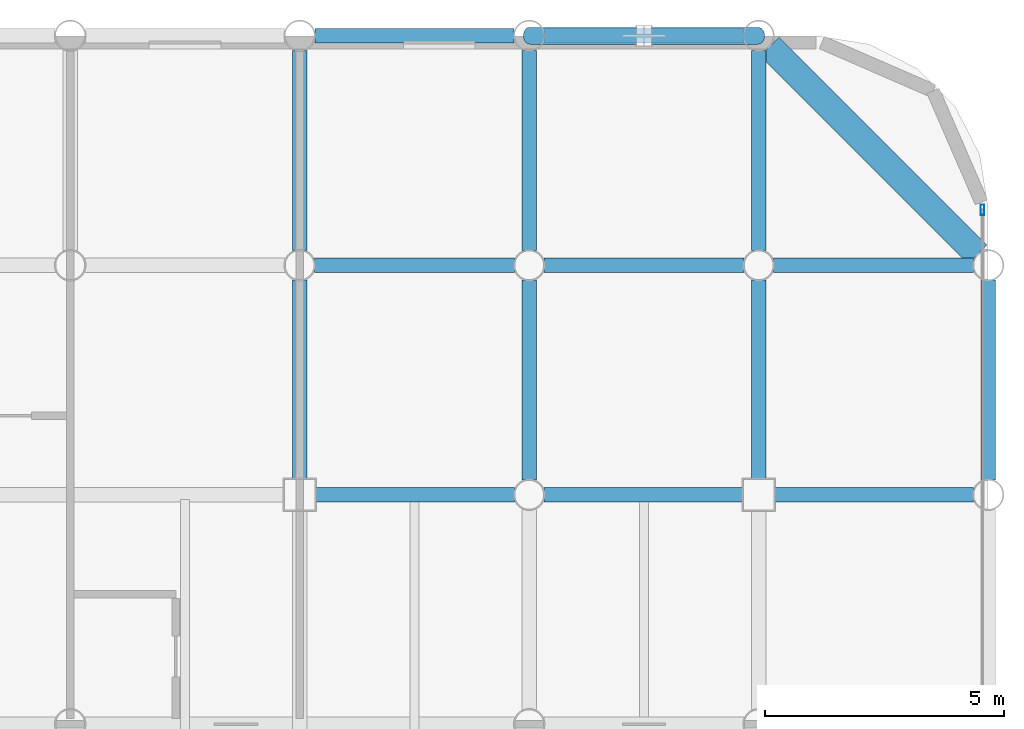
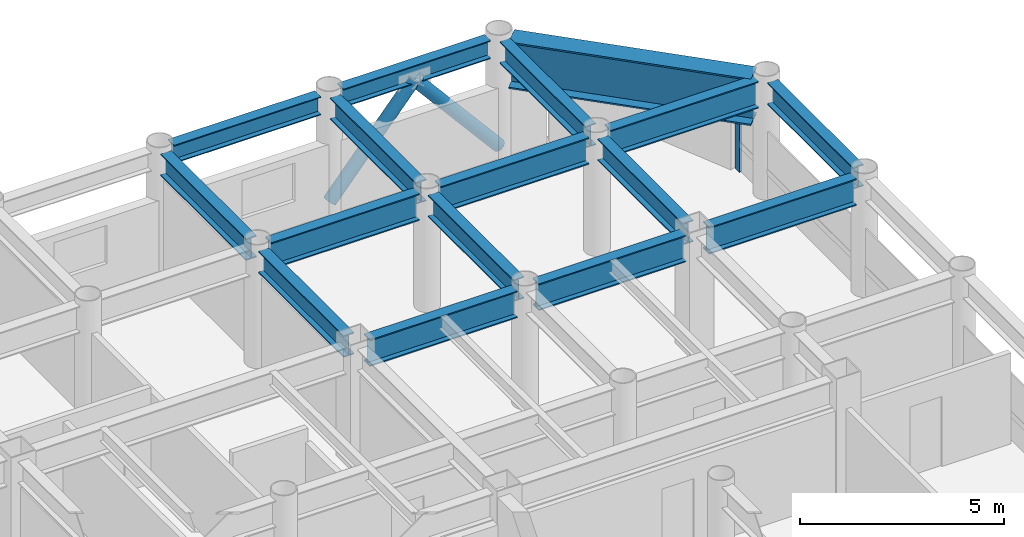
# One storey, part 14 of 20: 16 beams, 3 members, 1 element without a shape of its own.
"""IFC4 building model written with IfcOpenShell, lengths in metres."""

import ifcopenshell
import ifcopenshell.guid

model = None  # the IFC model being written
_history = None  # IfcOwnerHistory: only IFC2X3 demands one
_inside = {}  # id of a spatial element -> (the spatial element, [elements in it])
_under = {}  # id of a project, library or spatial element -> (it, [spatial elements below it])
_declared = {}  # id of a project -> (the project, [libraries it declares])
_typed = {}  # id of a type object -> (the type object, [elements of that type])
_made_of = {}  # id of a material, layer set ... -> (it, [elements and type objects made of it])


def new_model(schema):
    """Start an empty IFC model of exactly this schema.

    Asked for "IFC4X3", IfcOpenShell would pick the latest addendum, in which some entities
    have other attributes; the version numbers below select the first issue.
    IFC2X3 requires an IfcOwnerHistory on every rooted entity: one is made here for all.
    """
    global model, _history
    if schema == "IFC4X3":
        model = ifcopenshell.file(schema_version=(4, 3, 0, 0))
    else:
        model = ifcopenshell.file(schema=schema)
    _inside.clear()
    _under.clear()
    _declared.clear()
    _typed.clear()
    _made_of.clear()
    _history = None
    if model.schema == "IFC2X3":
        org = make("IfcOrganization", Name="unknown")
        user = make(
            "IfcPersonAndOrganization",
            ThePerson=make("IfcPerson", FamilyName="unknown"),
            TheOrganization=org,
        )
        app = make(
            "IfcApplication",
            ApplicationDeveloper=org,
            Version="unknown",
            ApplicationFullName="unknown",
            ApplicationIdentifier="unknown",
        )
        _history = make(
            "IfcOwnerHistory",
            OwningUser=user,
            OwningApplication=app,
            ChangeAction="ADDED",
            CreationDate=0,
        )
    return model


def make(cls, **values):
    """One entity of the class cls with the attributes given. An attribute that is None is left unset."""
    return model.create_entity(
        cls, **{name: value for name, value in values.items() if value is not None}
    )


def rooted(cls, **values):
    """An entity with a GlobalId (a new one), such as an element, a storey or a relation."""
    return make(cls, GlobalId=ifcopenshell.guid.new(), OwnerHistory=_history, **values)


def si_unit(unit_type, name, prefix=None):
    """IfcSIUnit, for example si_unit("LENGTHUNIT", "METRE", prefix="MILLI")."""
    return make("IfcSIUnit", UnitType=unit_type, Prefix=prefix, Name=name)


def assignment(units):
    """IfcUnitAssignment: the units of a project."""
    return None if units is None else make("IfcUnitAssignment", Units=units)


def point(xyz):
    """IfcCartesianPoint."""
    return None if xyz is None else make("IfcCartesianPoint", Coordinates=xyz)


def direction(xyz):
    """IfcDirection."""
    return None if xyz is None else make("IfcDirection", DirectionRatios=xyz)


def frame(location, z_axis=None, x_axis=None):
    """IfcAxis2Placement3D, a coordinate frame: its origin and axes. An axis left out is left unset."""
    return make(
        "IfcAxis2Placement3D",
        Location=point(location),
        Axis=direction(z_axis),
        RefDirection=direction(x_axis),
    )


def frame_2d(location, x_axis=None):
    """IfcAxis2Placement2D, a coordinate frame in the plane: its origin and x axis."""
    return make(
        "IfcAxis2Placement2D", Location=point(location), RefDirection=direction(x_axis)
    )


def origin():
    """The frame at (0, 0, 0) with its axes left unset."""
    return frame((0.0, 0.0, 0.0))


def origin_2d():
    """The frame at (0, 0) in the plane with its x axis left unset."""
    return frame_2d((0.0, 0.0))


def place(relative_to, where):
    """IfcLocalPlacement: puts the frame where relative to a parent placement (None: the world)."""
    return make(
        "IfcLocalPlacement", PlacementRelTo=relative_to, RelativePlacement=where
    )


def context(
    kind, dimensions, precision=None, world=None, true_north=None, identifier=None
):
    """IfcGeometricRepresentationContext, for example the 3D "Model" context."""
    return make(
        "IfcGeometricRepresentationContext",
        ContextIdentifier=identifier,
        ContextType=kind,
        CoordinateSpaceDimension=dimensions,
        Precision=precision,
        WorldCoordinateSystem=world,
        TrueNorth=true_north,
    )


def subcontext(parent, identifier, kind, view, scale=None):
    """IfcGeometricRepresentationSubContext, for example "Body" below "Model"."""
    return make(
        "IfcGeometricRepresentationSubContext",
        ContextIdentifier=identifier,
        ContextType=kind,
        ParentContext=parent,
        TargetScale=scale,
        TargetView=view,
    )


def project(units=None, contexts=None):
    """IfcProject with its units and contexts."""
    return rooted(
        "IfcProject",
        Name="project",
        RepresentationContexts=contexts,
        UnitsInContext=assignment(units),
    )


def spatial(cls, under=None, at=None, **own):
    """A site, building, storey or space (cls), placed at a placement, below another one or the project."""
    s = rooted(cls, ObjectPlacement=at, **own)
    if under is not None:
        _under.setdefault(under.id(), (under, []))[1].append(s)
    return s


def profile(cls, at=None, kind="AREA", **sizes):
    """A parametric profile (cls). Its sizes go by their IFC names, for example OverallWidth=200.0."""
    return make(cls, ProfileType=kind, Position=at, **sizes)


def hollow_rectangle(**sizes):
    """IfcRectangleHollowProfileDef."""
    return profile("IfcRectangleHollowProfileDef", **sizes)


def hollow_circle(**sizes):
    """IfcCircleHollowProfileDef."""
    return profile("IfcCircleHollowProfileDef", **sizes)


def i_section(**sizes):
    """IfcIShapeProfileDef."""
    return profile("IfcIShapeProfileDef", **sizes)


def extrude(swept, where, along, depth):
    """IfcExtrudedAreaSolid: the profile swept, set in the frame where, extruded along a direction by depth."""
    return make(
        "IfcExtrudedAreaSolid",
        SweptArea=swept,
        Position=where,
        ExtrudedDirection=direction(along),
        Depth=depth,
    )


def shape(context_of_items, identifier, shape_type, items):
    """IfcShapeRepresentation: the items that make up one representation, for example the "Body"."""
    return make(
        "IfcShapeRepresentation",
        ContextOfItems=context_of_items,
        RepresentationIdentifier=identifier,
        RepresentationType=shape_type,
        Items=items,
    )


def material(Name=None, Category=None):
    """IfcMaterial."""
    return make("IfcMaterial", Name=Name, Category=Category)


def layer(
    of_material, thickness, ventilated=None, Name=None, Category=None, Priority=None
):
    """IfcMaterialLayer: one layer of a wall or slab, of a material (None: an air gap)."""
    return make(
        "IfcMaterialLayer",
        Material=of_material,
        LayerThickness=thickness,
        IsVentilated=ventilated,
        Name=Name,
        Category=Category,
        Priority=Priority,
    )


def layer_set(layers, Name=None):
    """IfcMaterialLayerSet."""
    return make("IfcMaterialLayerSet", MaterialLayers=layers, LayerSetName=Name)


def material_profile(
    of_material, cross_section, Name=None, Category=None, Priority=None
):
    """IfcMaterialProfile: a cross section and its material."""
    return make(
        "IfcMaterialProfile",
        Name=Name,
        Material=of_material,
        Profile=cross_section,
        Priority=Priority,
        Category=Category,
    )


def profile_set(profiles, Name=None, composite=None):
    """IfcMaterialProfileSet."""
    return make(
        "IfcMaterialProfileSet",
        Name=Name,
        MaterialProfiles=profiles,
        CompositeProfile=composite,
    )


def made_of(thing, what):
    """Note that an element or type object is made of a material, layer set ...; save() writes the relation."""
    if what is not None:
        _made_of.setdefault(what.id(), (what, []))[1].append(thing)
    return thing


def type_object(cls, material=None, **own):
    """A type object (cls), such as IfcWallType, which elements share."""
    return made_of(rooted(cls, **own), material)


def element(
    cls,
    number,
    at=None,
    inside=None,
    cuts=None,
    type_object=None,
    material=None,
    context=None,
    identifier="Body",
    shape_type=None,
    held_by="IfcProductDefinitionShape",
    body=None,
    shapes=None,
    **own,
):
    """One element of the class cls, such as IfcWall. Its Tag is "e" and its number.

    at: its placement. inside: the storey or other place that contains it. cuts: it is an
    opening in that element (IfcRelVoidsElement). A single representation is given by context,
    identifier, shape_type and body (its items); several are given by shapes. held_by: the class
    of the entity that holds the representations. save() writes the other relations.
    """
    e = rooted(cls, Tag="e%d" % number, ObjectPlacement=at, **own)
    if body is not None:
        shapes = [shape(context, identifier, shape_type, body)]
    if shapes is not None:
        e.Representation = make(held_by, Representations=shapes)
    if inside is not None:
        _inside.setdefault(inside.id(), (inside, []))[1].append(e)
    if cuts is not None:
        rooted(
            "IfcRelVoidsElement", RelatingBuildingElement=cuts, RelatedOpeningElement=e
        )
    if type_object is not None:
        _typed.setdefault(type_object.id(), (type_object, []))[1].append(e)
    return made_of(e, material)


def aggregate(whole, parts):
    """IfcRelAggregates: a whole, such as a stair, and the parts it consists of."""
    return rooted("IfcRelAggregates", RelatingObject=whole, RelatedObjects=parts)


def save(model, path):
    """Write the relations noted so far, then the file.

    IfcRelAggregates (storeys below a building ...), IfcRelContainedInSpatialStructure (elements
    in a storey), IfcRelDefinesByType, IfcRelAssociatesMaterial and IfcRelDeclares: one each for
    every whole, place, type object, material and project.
    """
    for whole, parts in _under.values():
        aggregate(whole, parts)
    for where, things in _inside.values():
        rooted(
            "IfcRelContainedInSpatialStructure",
            RelatedElements=things,
            RelatingStructure=where,
        )
    for kind, things in _typed.values():
        rooted("IfcRelDefinesByType", RelatedObjects=things, RelatingType=kind)
    for what, things in _made_of.values():
        rooted("IfcRelAssociatesMaterial", RelatedObjects=things, RelatingMaterial=what)
    for by, libraries in _declared.values():
        rooted("IfcRelDeclares", RelatingContext=by, RelatedDefinitions=libraries)
    model.write(path)


model = new_model("IFC4")

# Units and contexts
model_context = context("Model", 3, precision=1e-05, world=origin(), true_north=direction((0.0, 1.0)))
body_context = subcontext(model_context, "Body", "Model", "MODEL_VIEW")
ifc_project = project(units=[si_unit("LENGTHUNIT", "METRE"), si_unit("AREAUNIT", "SQUARE_METRE"), si_unit("VOLUMEUNIT", "CUBIC_METRE"), si_unit("PLANEANGLEUNIT", "RADIAN"), si_unit("MASSUNIT", "GRAM", prefix="KILO")], contexts=[model_context])

# Site, building, storey
site_placement = place(None, origin())
site = spatial("IfcSite", under=ifc_project, at=site_placement, CompositionType="ELEMENT")
building_placement = place(site_placement, origin())
building = spatial("IfcBuilding", under=site, at=building_placement, Name="Kallvorn Hotel Tower", CompositionType="ELEMENT")
storey_placement = place(building_placement, frame((0.0, 0.0, 143.300048828125)))
storey = spatial("IfcBuildingStorey", under=building, at=storey_placement, Name="L35", CompositionType="ELEMENT", Elevation=143.300048828125)

# Beams
ifc_material_1 = material(Name="Structural steel S355JR", Category="steel")
ifc_material_profile_1 = material_profile(ifc_material_1, i_section(OverallWidth=0.300048828125, OverallDepth=0.550048828125, WebThickness=0.014892578125, FlangeThickness=0.029052734375, at=origin_2d()), Name="HE 550 B")
ifc_profile_set_1 = profile_set([ifc_material_profile_1], Name="Structural steel S355JR")
beam_type_1 = type_object("IfcBeamType", Name="BM_HE550B", PredefinedType="SPANDREL", material=ifc_profile_set_1)
for number, where, z_axis, x_axis, name in (
    (1, (14.719970703125, 24.0, 3.244873046875), (1.0, 0.0, 0.0), (0.0, 1.0, 0.0), "L36 Perimeter Spandrel 172"),
    (2, (19.52001953125, 24.0, 3.244873046875), (1.0, 0.0, 0.0), (0.0, 1.0, 0.0), "L36 Perimeter Spandrel 173"),
):
    element("IfcBeam", number, at=place(storey_placement, frame(where, z_axis=z_axis, x_axis=x_axis)), inside=storey, type_object=beam_type_1, Name=name, PredefinedType="SPANDREL", context=body_context, shape_type="SweptSolid", body=[
        extrude(i_section(OverallWidth=0.300048828125, OverallDepth=0.550048828125, WebThickness=0.014892578125, FlangeThickness=0.029052734375, at=origin_2d()), origin(), (0.0, 0.0, 1.0), 4.159912109375),
    ])
ifc_material_2 = material(Name="Structural steel S355JR", Category="steel")
ifc_material_profile_2 = material_profile(ifc_material_2, i_section(OverallWidth=0.300048828125, OverallDepth=0.64990234375, WebThickness=0.01611328125, FlangeThickness=0.031005859375, at=origin_2d()), Name="HE 650 B")
ifc_profile_set_2 = profile_set([ifc_material_profile_2], Name="Structural steel S355JR")
beam_type_2 = type_object("IfcBeamType", Name="BM_HE650B", PredefinedType="BEAM", material=ifc_profile_set_2)
beam_1_placement = place(storey_placement, frame((14.39990234375, 14.72509765625, 3.195068359375), z_axis=(0.0, 1.0, 0.0), x_axis=(-1.0, 0.0, 0.0)))
element("IfcBeam", 3, at=beam_1_placement, inside=storey, type_object=beam_type_2, Name="L36 Primary Y-Girder 125", PredefinedType="BEAM", context=body_context, shape_type="SweptSolid", body=[
    extrude(i_section(OverallWidth=0.300048828125, OverallDepth=0.64990234375, WebThickness=0.01611328125, FlangeThickness=0.031005859375, at=origin_2d()), origin(), (0.0, 0.0, 1.0), 4.169921875),
])
beam_2_placement = place(storey_placement, frame((14.39990234375, 19.5048828125, 3.195068359375), z_axis=(0.0, 1.0, 0.0), x_axis=(-1.0, 0.0, 0.0)))
element("IfcBeam", 4, at=beam_2_placement, inside=storey, type_object=beam_type_2, Name="L36 Primary Y-Girder 126", PredefinedType="BEAM", context=body_context, shape_type="SweptSolid", body=[
    extrude(i_section(OverallWidth=0.300048828125, OverallDepth=0.64990234375, WebThickness=0.01611328125, FlangeThickness=0.031005859375, at=origin_2d()), origin(), (0.0, 0.0, 1.0), 4.190185546875),
])
beam_3_placement = place(storey_placement, frame((19.199951171875, 14.705078125, 3.195068359375), z_axis=(0.0, 1.0, 0.0), x_axis=(-1.0, 0.0, 0.0)))
element("IfcBeam", 5, at=beam_3_placement, inside=storey, type_object=beam_type_2, Name="L36 Primary Y-Girder 134", PredefinedType="BEAM", context=body_context, shape_type="SweptSolid", body=[
    extrude(i_section(OverallWidth=0.300048828125, OverallDepth=0.64990234375, WebThickness=0.01611328125, FlangeThickness=0.031005859375, at=origin_2d()), origin(), (0.0, 0.0, 1.0), 4.18994140625),
])
beam_4_placement = place(storey_placement, frame((19.199951171875, 19.5048828125, 3.195068359375), z_axis=(0.0, 1.0, 0.0), x_axis=(-1.0, 0.0, 0.0)))
element("IfcBeam", 6, at=beam_4_placement, inside=storey, type_object=beam_type_2, Name="L36 Primary Y-Girder 135", PredefinedType="BEAM", context=body_context, shape_type="SweptSolid", body=[
    extrude(i_section(OverallWidth=0.300048828125, OverallDepth=0.64990234375, WebThickness=0.01611328125, FlangeThickness=0.031005859375, at=origin_2d()), origin(), (0.0, 0.0, 1.0), 4.190185546875),
])
beam_5_placement = place(storey_placement, frame((24.0, 14.72509765625, 3.195068359375), z_axis=(0.0, 1.0, 0.0), x_axis=(-1.0, 0.0, 0.0)))
element("IfcBeam", 7, at=beam_5_placement, inside=storey, type_object=beam_type_2, Name="L36 Primary Y-Girder 141", PredefinedType="BEAM", context=body_context, shape_type="SweptSolid", body=[
    extrude(i_section(OverallWidth=0.300048828125, OverallDepth=0.64990234375, WebThickness=0.01611328125, FlangeThickness=0.031005859375, at=origin_2d()), origin(), (0.0, 0.0, 1.0), 4.169921875),
])
beam_6_placement = place(storey_placement, frame((24.0, 19.5048828125, 3.195068359375), z_axis=(0.0, 1.0, 0.0), x_axis=(-1.0, 0.0, 0.0)))
element("IfcBeam", 8, at=beam_6_placement, inside=storey, type_object=beam_type_2, Name="L36 Primary Y-Girder 142", PredefinedType="BEAM", context=body_context, shape_type="SweptSolid", body=[
    extrude(i_section(OverallWidth=0.300048828125, OverallDepth=0.64990234375, WebThickness=0.01611328125, FlangeThickness=0.031005859375, at=origin_2d()), origin(), (0.0, 0.0, 1.0), 4.190185546875),
])
beam_7_placement = place(storey_placement, frame((28.800048828125, 14.705078125, 3.195068359375), z_axis=(0.0, 1.0, 0.0), x_axis=(-1.0, 0.0, 0.0)))
element("IfcBeam", 9, at=beam_7_placement, inside=storey, type_object=beam_type_2, Name="L36 Primary Y-Girder 150", PredefinedType="BEAM", context=body_context, shape_type="SweptSolid", body=[
    extrude(i_section(OverallWidth=0.300048828125, OverallDepth=0.64990234375, WebThickness=0.01611328125, FlangeThickness=0.031005859375, at=origin_2d()), origin(), (0.0, 0.0, 1.0), 4.18994140625),
])
ifc_material_3 = material(Name="Structural steel S355JR", Category="steel")
ifc_material_profile_3 = material_profile(ifc_material_3, i_section(OverallWidth=0.300048828125, OverallDepth=0.800048828125, WebThickness=0.017578125, FlangeThickness=0.032958984375, at=origin_2d()), Name="HE 800 B")
ifc_profile_set_3 = profile_set([ifc_material_profile_3], Name="Structural steel S355JR")
beam_type_3 = type_object("IfcBeamType", Name="BM_HE800B", PredefinedType="BEAM", material=ifc_profile_set_3)
beam_8_placement = place(storey_placement, frame((14.72509765625, 14.39990234375, 3.119873046875), z_axis=(1.0, 0.0, 0.0), x_axis=(0.0, 1.0, 0.0)))
element("IfcBeam", 10, at=beam_8_placement, inside=storey, type_object=beam_type_3, Name="L36 Primary X-Girder 57", PredefinedType="BEAM", context=body_context, shape_type="SweptSolid", body=[
    extrude(i_section(OverallWidth=0.300048828125, OverallDepth=0.800048828125, WebThickness=0.017578125, FlangeThickness=0.032958984375, at=origin_2d()), origin(), (0.0, 0.0, 1.0), 4.169921875),
])
for number, where, z_axis, x_axis, name in (
    (11, (19.5048828125, 14.39990234375, 3.119873046875), (1.0, 0.0, 0.0), (0.0, 1.0, 0.0), "L36 Primary X-Girder 58"),
    (12, (24.324951171875, 14.39990234375, 3.119873046875), (1.0, 0.0, 0.0), (0.0, 1.0, 0.0), "L36 Primary X-Girder 59"),
):
    element("IfcBeam", number, at=place(storey_placement, frame(where, z_axis=z_axis, x_axis=x_axis)), inside=storey, type_object=beam_type_3, Name=name, PredefinedType="BEAM", context=body_context, shape_type="SweptSolid", body=[
        extrude(i_section(OverallWidth=0.300048828125, OverallDepth=0.800048828125, WebThickness=0.017578125, FlangeThickness=0.032958984375, at=origin_2d()), origin(), (0.0, 0.0, 1.0), 4.170166015625),
    ])
beam_9_placement = place(storey_placement, frame((14.705078125, 19.199951171875, 3.119873046875), z_axis=(1.0, 0.0, 0.0), x_axis=(0.0, 1.0, 0.0)))
element("IfcBeam", 13, at=beam_9_placement, inside=storey, type_object=beam_type_3, Name="L36 Primary X-Girder 70", PredefinedType="BEAM", context=body_context, shape_type="SweptSolid", body=[
    extrude(i_section(OverallWidth=0.300048828125, OverallDepth=0.800048828125, WebThickness=0.017578125, FlangeThickness=0.032958984375, at=origin_2d()), origin(), (0.0, 0.0, 1.0), 4.18994140625),
])
for number, where, z_axis, x_axis, name in (
    (14, (19.5048828125, 19.199951171875, 3.119873046875), (1.0, 0.0, 0.0), (0.0, 1.0, 0.0), "L36 Primary X-Girder 71"),
    (15, (24.304931640625, 19.199951171875, 3.119873046875), (1.0, 0.0, 0.0), (0.0, 1.0, 0.0), "L36 Primary X-Girder 72"),
):
    element("IfcBeam", number, at=place(storey_placement, frame(where, z_axis=z_axis, x_axis=x_axis)), inside=storey, type_object=beam_type_3, Name=name, PredefinedType="BEAM", context=body_context, shape_type="SweptSolid", body=[
        extrude(i_section(OverallWidth=0.300048828125, OverallDepth=0.800048828125, WebThickness=0.017578125, FlangeThickness=0.032958984375, at=origin_2d()), origin(), (0.0, 0.0, 1.0), 4.190185546875),
    ])
ifc_material_4 = material(Name="Structural steel S355JR", Category="steel")
ifc_material_profile_4 = material_profile(ifc_material_4, i_section(OverallWidth=0.550048828125, OverallDepth=1.39990234375, WebThickness=0.02490234375, FlangeThickness=0.044921875, at=origin_2d()), Name="PG 1400x550x25x45")
ifc_profile_set_4 = profile_set([ifc_material_profile_4], Name="Structural steel S355JR")
beam_type_4 = type_object("IfcBeamType", Name="BM_PG_1400", PredefinedType="BEAM", material=ifc_profile_set_4)
beam_10_placement = place(storey_placement, frame((28.57373046875, 19.42626953125, 2.820068359375), z_axis=(-0.707106781187, 0.707106781187, 0.0), x_axis=(-0.707106781187, -0.707106781187, 0.0)))
element("IfcBeam", 16, at=beam_10_placement, inside=storey, type_object=beam_type_4, Name="L36 Rounded Corner Tie Beam 191", PredefinedType="BEAM", context=body_context, shape_type="SweptSolid", body=[
    extrude(i_section(OverallWidth=0.550048828125, OverallDepth=1.39990234375, WebThickness=0.02490234375, FlangeThickness=0.044921875, at=origin_2d()), origin(), (0.0, 0.0, 1.0), 6.148193359375),
])

# Curtain wall, member
ifc_material_5 = material(Name="Thermally broken black-anodised aluminium AA 6063-T6", Category="aluminium")
ifc_layer = layer(ifc_material_5, 0.2099609375)
ifc_layer_set = layer_set([ifc_layer], Name="CW_SYS_4_HOTEL_MID")
curtain_wall_type = type_object("IfcCurtainWallType", Name="CW_SYS_4_HOTEL_MID", PredefinedType="USERDEFINED", material=ifc_layer_set)
curtain_wall_placement = place(storey_placement, origin())
curtain_wall = element("IfcCurtainWall", 17, at=curtain_wall_placement, inside=storey, type_object=curtain_wall_type, Name="L35 Dark-Glass Curtain Wall CW-L35-EN", ObjectType="UNITISED CURTAIN WALL", PredefinedType="USERDEFINED")
ifc_material_6 = material(Name="Thermally broken black-anodised aluminium AA 6063-T6", Category="aluminium")
ifc_material_profile_5 = material_profile(ifc_material_6, hollow_rectangle(XDim=0.080078125, YDim=0.219970703125, WallThickness=0.0048828125, at=origin_2d()), Name="MUL 220x80")
ifc_profile_set_5 = profile_set([ifc_material_profile_5], Name="Thermally broken black-anodised aluminium AA 6063-T6")
member_type_1 = type_object("IfcMemberType", Name="CW_MULLION_220x80", PredefinedType="MULLION", material=ifc_profile_set_5)
member_placement = place(storey_placement, frame((28.679931640625, 20.360107421875, 0.02001953125), z_axis=(0.0, 0.0, 1.0), x_axis=(1.0, 0.0, 0.0)))
member = element("IfcMember", 18, at=member_placement, type_object=member_type_1, Name="CW-L35-EN Mullion 01", PredefinedType="MULLION", context=body_context, shape_type="SweptSolid", body=[
    extrude(hollow_rectangle(XDim=0.080078125, YDim=0.219970703125, WallThickness=0.0048828125, at=origin_2d()), origin(), (0.0, 0.0, 1.0), 2.079833984375),
])
aggregate(curtain_wall, [member])

# Members
ifc_material_7 = material(Name="Structural steel S355J2H", Category="steel")
ifc_material_profile_6 = material_profile(ifc_material_7, hollow_circle(Radius=0.177734375, WallThickness=0.01416015625, at=origin_2d()), Name="CHS 355.6x14.2")
ifc_profile_set_6 = profile_set([ifc_material_profile_6], Name="Structural steel S355J2H")
member_type_2 = type_object("IfcMemberType", Name="MBR_EXO_CHS355", PredefinedType="BRACE", material=ifc_profile_set_6)
for number, where, z_axis, x_axis, name in (
    (19, (19.212890625, 24.0, 0.1953125), (0.646833296797, 0.0, 0.762631422218), (0.0, 1.0, 0.0), "L35 Exoskeleton K-Brace N2A"),
    (20, (23.987060546875, 24.0, 0.1953125), (-0.646833296797, 0.0, 0.762631422218), (0.0, -1.0, 0.0), "L35 Exoskeleton K-Brace N2B"),
):
    element("IfcMember", number, at=place(storey_placement, frame(where, z_axis=z_axis, x_axis=x_axis)), inside=storey, type_object=member_type_2, Name=name, PredefinedType="BRACE", context=body_context, shape_type="SweptSolid", body=[
        extrude(hollow_circle(Radius=0.177734375, WallThickness=0.01416015625, at=origin_2d()), origin(), (0.0, 0.0, 1.0), 3.670654296875),
    ])

save(model, "model.ifc")
